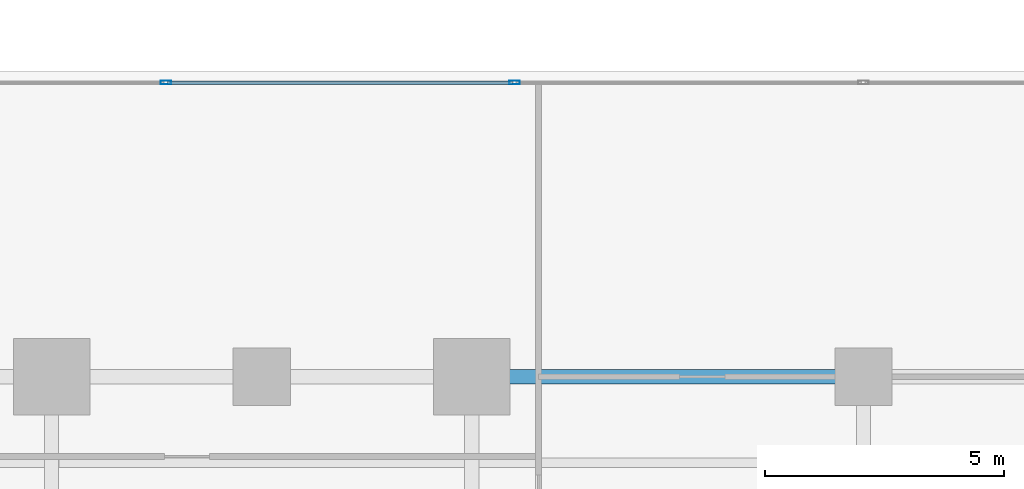
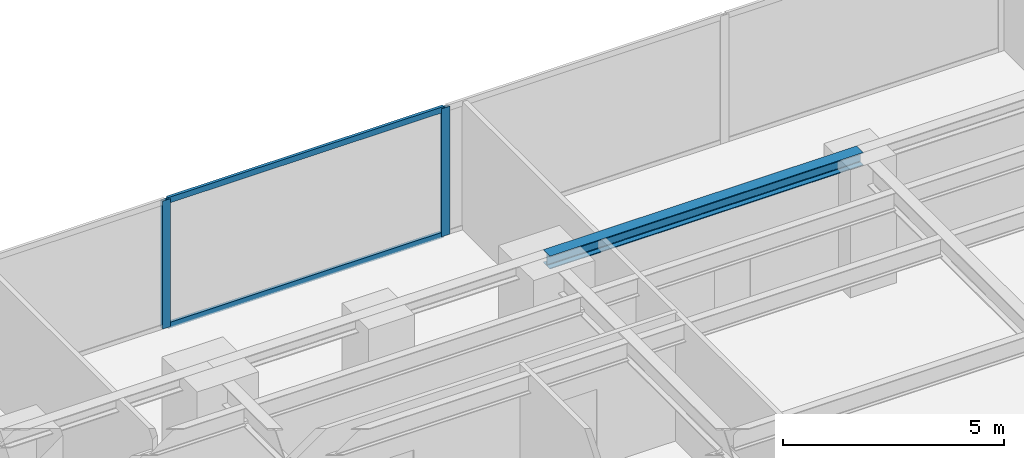
# One storey, part 13 of 30: 4 members, 1 beam, 1 element without a shape of its own.
"""IFC4 building model written with IfcOpenShell, lengths in metres."""

from ifc_helpers import new_model, si_unit, direction, frame, origin, origin_with_axes, origin_2d, place, context, subcontext, project, spatial, hollow_rectangle, i_section, extrude, source, transform, mapped, material, layer, layer_set, material_profile, profile_set, type_object, element, aggregate, save


model = new_model("IFC4")

# Units and contexts
model_context = context("Model", 3, precision=1e-05, world=origin(), true_north=direction((0.0, 1.0)))
body_context = subcontext(model_context, "Body", "Model", "MODEL_VIEW")
ifc_project = project(units=[si_unit("LENGTHUNIT", "METRE"), si_unit("AREAUNIT", "SQUARE_METRE"), si_unit("VOLUMEUNIT", "CUBIC_METRE"), si_unit("PLANEANGLEUNIT", "RADIAN"), si_unit("MASSUNIT", "GRAM", prefix="KILO")], contexts=[model_context])

# Site, building, storey
site_placement = place(None, origin())
site = spatial("IfcSite", under=ifc_project, at=site_placement, CompositionType="ELEMENT")
building_placement = place(site_placement, origin())
building = spatial("IfcBuilding", under=site, at=building_placement, Name="Kolvaren Waterfront Exchange", CompositionType="ELEMENT")
storey_placement = place(building_placement, frame((0.0, 0.0, 71.39990234375)))
storey = spatial("IfcBuildingStorey", under=building, at=storey_placement, Name="L18", CompositionType="ELEMENT", Elevation=71.39990234375)

# Beam
ifc_material_1 = material(Name="Steel S355", Category="steel")
ifc_material_profile_1 = material_profile(ifc_material_1, i_section(OverallWidth=0.300048828125, OverallDepth=0.360107421875, WebThickness=0.012451171875, FlangeThickness=0.0224609375, FilletRadius=0.027099609375, at=origin_2d()), Name="HEB360")
ifc_profile_set_1 = profile_set([ifc_material_profile_1], Name="Steel S355")
beam_type = type_object("IfcBeamType", Name="STR-BM-HEB360", PredefinedType="SPANDREL", material=ifc_profile_set_1)
beam_placement = place(storey_placement, frame((45.60009765625, 17.39990234375, 3.360107421875), z_axis=(1.0, 0.0, 0.0), x_axis=(0.0, 1.0, 0.0)))
element("IfcBeam", 1, at=beam_placement, inside=storey, type_object=beam_type, Name="L18 east-arm spandrel N4", PredefinedType="SPANDREL", context=body_context, shape_type="SweptSolid", body=[
    extrude(i_section(OverallWidth=0.300048828125, OverallDepth=0.360107421875, WebThickness=0.012451171875, FlangeThickness=0.0224609375, FilletRadius=0.027099609375, at=origin_2d()), origin(), (0.0, 0.0, 1.0), 8.199951171875),
])

# Curtain wall, members
ifc_material_2 = material(Name="Anodised bronze aluminium 6063-T6", Category="aluminium")
ifc_layer = layer(ifc_material_2, 0.219970703125, Name="Anodised bronze aluminium 6063-T6")
ifc_layer_set = layer_set([ifc_layer], Name="Anodised bronze aluminium 6063-T6")
curtain_wall_type = type_object("IfcCurtainWallType", Name="ARC-CW-SYS1", PredefinedType="USERDEFINED", material=ifc_layer_set)
curtain_wall_placement = place(storey_placement, origin())
curtain_wall = element("IfcCurtainWall", 2, at=curtain_wall_placement, inside=storey, type_object=curtain_wall_type, Name="L18 stick curtain wall CW1 (CW-L18-EN)", ObjectType="STICK CURTAIN WALL", PredefinedType="USERDEFINED")
ifc_material_3 = material(Name="Anodised aluminium 6063-T6", Category="aluminium")
ifc_material_profile_2 = material_profile(ifc_material_3, hollow_rectangle(XDim=0.074951171875, YDim=0.159912109375, WallThickness=0.00439453125, at=origin_2d()), Name="ALU-TRN-160x75x4.5")
ifc_profile_set_2 = profile_set([ifc_material_profile_2], Name="Anodised aluminium 6063-T6")
member_type_1 = type_object("IfcMemberType", Name="ARC-CWT-160", PredefinedType="USERDEFINED", material=ifc_profile_set_2)
shared_shape_1 = source(origin_with_axes(), body_context, "Body", "SweptSolid", [
    extrude(hollow_rectangle(XDim=0.074951171875, YDim=0.159912109375, WallThickness=0.00439453125, at=origin_2d()), origin(), (0.0, 0.0, 1.0), 7.22265625),
])
member_1_placement = place(storey_placement, frame((39.232421875, 23.56005859375, 0.03759765625), z_axis=(1.0, 0.0, 0.0), x_axis=(0.0, 1.0, 0.0)))
member_1 = element("IfcMember", 3, at=member_1_placement, type_object=member_type_1, Name="CW1 transom 2.1", ObjectType="TRANSOM", PredefinedType="USERDEFINED", context=body_context, shape_type="MappedRepresentation", body=[
    mapped(shared_shape_1, transform((0.0, 0.0, 0.0), x_axis=(1.0, 0.0, 0.0), y_axis=(0.0, 1.0, 0.0), z_axis=(0.0, 0.0, 1.0), scale=1.0)),
])
member_2_placement = place(storey_placement, frame((39.232421875, 23.56005859375, 3.502685546875), z_axis=(1.0, 0.0, 0.0), x_axis=(0.0, 1.0, 0.0)))
member_2 = element("IfcMember", 4, at=member_2_placement, type_object=member_type_1, Name="CW1 transom 2.2", ObjectType="TRANSOM", PredefinedType="USERDEFINED", context=body_context, shape_type="MappedRepresentation", body=[
    mapped(shared_shape_1, transform((0.0, 0.0, 0.0), x_axis=(1.0, 0.0, 0.0), y_axis=(0.0, 1.0, 0.0), z_axis=(0.0, 0.0, 1.0), scale=1.0)),
])
ifc_material_profile_3 = material_profile(ifc_material_3, hollow_rectangle(XDim=0.080078125, YDim=0.219970703125, WallThickness=0.0048828125, at=origin_2d()), Name="ALU-MUL-220x80x5")
ifc_profile_set_3 = profile_set([ifc_material_profile_3], Name="Anodised aluminium 6063-T6")
member_type_2 = type_object("IfcMemberType", Name="ARC-CWM-220", PredefinedType="MULLION", material=ifc_profile_set_3)
shared_shape_2 = source(origin_with_axes(), body_context, "Body", "SweptSolid", [
    extrude(hollow_rectangle(XDim=0.080078125, YDim=0.219970703125, WallThickness=0.0048828125, at=origin_2d()), origin(), (0.0, 0.0, 1.0), 3.5400390625),
])
member_3_placement = place(storey_placement, frame((39.1923828125, 23.56005859375, 0.0), z_axis=(0.0, 0.0, 1.0), x_axis=(0.0, 1.0, 0.0)))
member_3 = element("IfcMember", 5, at=member_3_placement, type_object=member_type_2, Name="CW1 mullion 2", PredefinedType="MULLION", context=body_context, shape_type="MappedRepresentation", body=[
    mapped(shared_shape_2, transform((0.0, 0.0, 0.0), x_axis=(1.0, 0.0, 0.0), y_axis=(0.0, 1.0, 0.0), z_axis=(0.0, 0.0, 1.0), scale=1.0)),
])
member_4_placement = place(storey_placement, frame((46.4951171875, 23.56005859375, 0.0), z_axis=(0.0, 0.0, 1.0), x_axis=(0.0, 1.0, 0.0)))
member_4 = element("IfcMember", 6, at=member_4_placement, type_object=member_type_2, Name="CW1 mullion 3", PredefinedType="MULLION", context=body_context, shape_type="MappedRepresentation", body=[
    mapped(shared_shape_2, transform((0.0, 0.0, 0.0), x_axis=(1.0, 0.0, 0.0), y_axis=(0.0, 1.0, 0.0), z_axis=(0.0, 0.0, 1.0), scale=1.0)),
])
aggregate(curtain_wall, [member_3, member_4, member_1, member_2])

save(model, "model.ifc")
